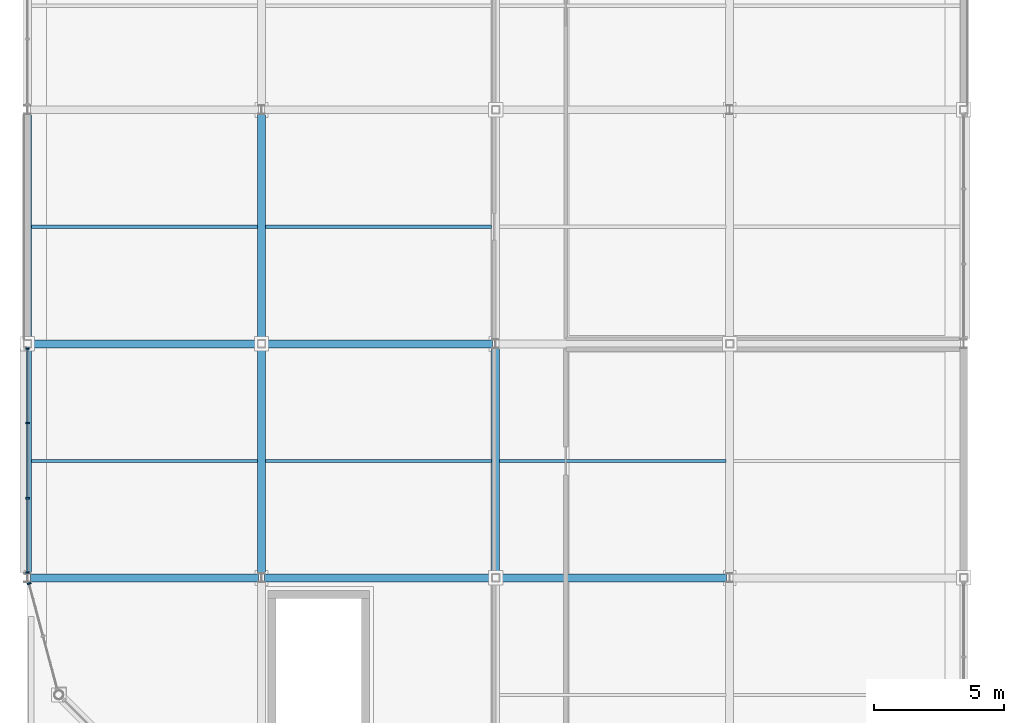
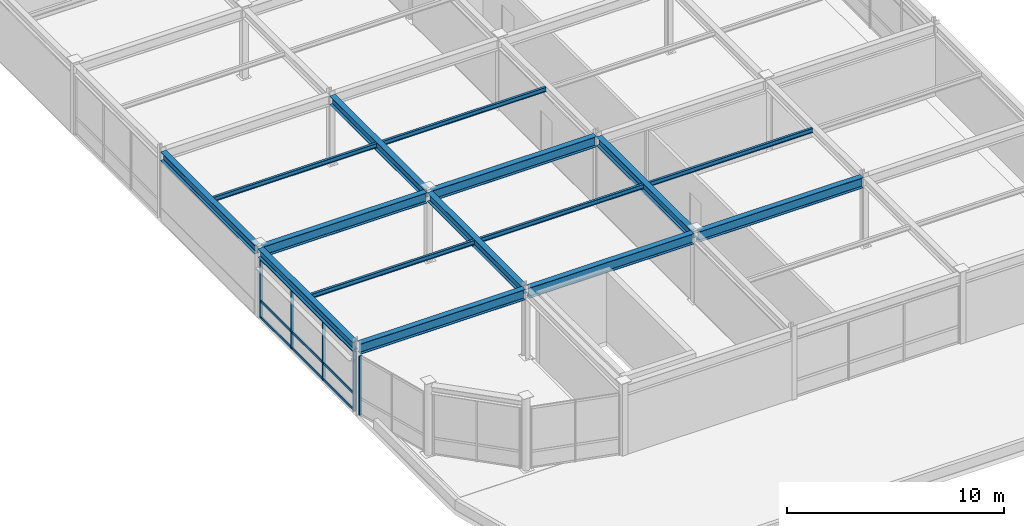
# One storey, part 25 of 108: 15 beams, 14 members, 2 elements without a shape of their own.
"""IFC4 building model written with IfcOpenShell, lengths in metres."""

from ifc_helpers import new_model, si_unit, direction, frame, origin, origin_2d, place, context, subcontext, project, spatial, rectangle, i_section, extrude, material, material_profile, profile_set, type_object, element, aggregate, save


model = new_model("IFC4")

# Units and contexts
model_context = context("Model", 3, precision=1e-05, world=origin(), true_north=direction((0.0, 1.0)))
body_context = subcontext(model_context, "Body", "Model", "MODEL_VIEW")
ifc_project = project(units=[si_unit("LENGTHUNIT", "METRE"), si_unit("AREAUNIT", "SQUARE_METRE"), si_unit("VOLUMEUNIT", "CUBIC_METRE"), si_unit("PLANEANGLEUNIT", "RADIAN"), si_unit("MASSUNIT", "GRAM", prefix="KILO")], contexts=[model_context])

# Site, building, storey
site_placement = place(None, origin())
site = spatial("IfcSite", under=ifc_project, at=site_placement, CompositionType="ELEMENT")
building_placement = place(site_placement, origin())
building = spatial("IfcBuilding", under=site, at=building_placement, Name="Suzunagisa Mobility Hub", CompositionType="ELEMENT")
storey_placement = place(building_placement, frame((0.0, 0.0, 9.300048828125)))
storey = spatial("IfcBuildingStorey", under=building, at=storey_placement, Name="L02", CompositionType="ELEMENT", Elevation=9.300048828125)

# Curtain wall, members
ifc_material_1 = material(Name="Thermally Broken Anodized Aluminum and Low-E Glazing", Category="aluminium")
curtain_wall_type_1 = type_object("IfcCurtainWallType", Name="Unitised Curtain Wall CW-12 8750x3300", PredefinedType="USERDEFINED", material=ifc_material_1)
curtain_wall_1_placement = place(storey_placement, origin())
curtain_wall_1 = element("IfcCurtainWall", 1, at=curtain_wall_1_placement, inside=storey, type_object=curtain_wall_type_1, Name="L02 Unitised Curtain Wall CW-33", ObjectType="UNITISED CURTAIN WALL", PredefinedType="USERDEFINED")
ifc_material_2 = material(Name="Anodized Aluminum 6063-T6", Category="aluminium")
ifc_material_profile_1 = material_profile(ifc_material_2, rectangle(XDim=0.06494140625, YDim=0.139892578125, at=origin_2d()), Name="TRAN-65x140")
ifc_profile_set_1 = profile_set([ifc_material_profile_1], Name="Anodized Aluminum 6063-T6")
member_type_1 = type_object("IfcMemberType", Name="Curtain Wall Framing CM-01 TRAN-65x140", PredefinedType="USERDEFINED", material=ifc_profile_set_1)
member_1_placement = place(storey_placement, frame((0.0, 26.7919921875, 0.032470703125), z_axis=(0.0, -1.0, 0.0), x_axis=(1.0, 0.0, 0.0)))
member_1 = element("IfcMember", 2, at=member_1_placement, type_object=member_type_1, Name="Curtain Wall Transom 33-T1.1", ObjectType="TRANSOM", PredefinedType="USERDEFINED", context=body_context, shape_type="SweptSolid", body=[
    extrude(rectangle(XDim=0.06494140625, YDim=0.139892578125, at=origin_2d()), origin(), (0.0, 0.0, 1.0), 2.807373046875),
])
member_2_placement = place(storey_placement, frame((0.0, 26.7919921875, 0.949951171875), z_axis=(0.0, -1.0, 0.0), x_axis=(1.0, 0.0, 0.0)))
member_2 = element("IfcMember", 3, at=member_2_placement, type_object=member_type_1, Name="Curtain Wall Transom 33-T1.2", ObjectType="TRANSOM", PredefinedType="USERDEFINED", context=body_context, shape_type="SweptSolid", body=[
    extrude(rectangle(XDim=0.06494140625, YDim=0.139892578125, at=origin_2d()), origin(), (0.0, 0.0, 1.0), 2.807373046875),
])
member_3_placement = place(storey_placement, frame((0.0, 26.7919921875, 3.299560546875), z_axis=(0.0, -1.0, 0.0), x_axis=(1.0, 0.0, 0.0)))
member_3 = element("IfcMember", 4, at=member_3_placement, type_object=member_type_1, Name="Curtain Wall Transom 33-T1.3", ObjectType="TRANSOM", PredefinedType="USERDEFINED", context=body_context, shape_type="SweptSolid", body=[
    extrude(rectangle(XDim=0.06494140625, YDim=0.139892578125, at=origin_2d()), origin(), (0.0, 0.0, 1.0), 2.807373046875),
])
member_4_placement = place(storey_placement, frame((0.0, 23.9287109375, 0.032470703125), z_axis=(0.0, -1.0, 0.0), x_axis=(1.0, 0.0, 0.0)))
member_4 = element("IfcMember", 5, at=member_4_placement, type_object=member_type_1, Name="Curtain Wall Transom 33-T2.1", ObjectType="TRANSOM", PredefinedType="USERDEFINED", context=body_context, shape_type="SweptSolid", body=[
    extrude(rectangle(XDim=0.06494140625, YDim=0.139892578125, at=origin_2d()), origin(), (0.0, 0.0, 1.0), 2.83740234375),
])
member_5_placement = place(storey_placement, frame((0.0, 23.9287109375, 0.949951171875), z_axis=(0.0, -1.0, 0.0), x_axis=(1.0, 0.0, 0.0)))
member_5 = element("IfcMember", 6, at=member_5_placement, type_object=member_type_1, Name="Curtain Wall Transom 33-T2.2", ObjectType="TRANSOM", PredefinedType="USERDEFINED", context=body_context, shape_type="SweptSolid", body=[
    extrude(rectangle(XDim=0.06494140625, YDim=0.139892578125, at=origin_2d()), origin(), (0.0, 0.0, 1.0), 2.83740234375),
])
member_6_placement = place(storey_placement, frame((0.0, 23.9287109375, 3.299560546875), z_axis=(0.0, -1.0, 0.0), x_axis=(1.0, 0.0, 0.0)))
member_6 = element("IfcMember", 7, at=member_6_placement, type_object=member_type_1, Name="Curtain Wall Transom 33-T2.3", ObjectType="TRANSOM", PredefinedType="USERDEFINED", context=body_context, shape_type="SweptSolid", body=[
    extrude(rectangle(XDim=0.06494140625, YDim=0.139892578125, at=origin_2d()), origin(), (0.0, 0.0, 1.0), 2.83740234375),
])
member_7_placement = place(storey_placement, frame((0.0, 21.035400390625, 0.032470703125), z_axis=(0.0, -1.0, 0.0), x_axis=(1.0, 0.0, 0.0)))
member_7 = element("IfcMember", 8, at=member_7_placement, type_object=member_type_1, Name="Curtain Wall Transom 33-T3.1", ObjectType="TRANSOM", PredefinedType="USERDEFINED", context=body_context, shape_type="SweptSolid", body=[
    extrude(rectangle(XDim=0.06494140625, YDim=0.139892578125, at=origin_2d()), origin(), (0.0, 0.0, 1.0), 2.807373046875),
])
member_8_placement = place(storey_placement, frame((0.0, 21.035400390625, 0.949951171875), z_axis=(0.0, -1.0, 0.0), x_axis=(1.0, 0.0, 0.0)))
member_8 = element("IfcMember", 9, at=member_8_placement, type_object=member_type_1, Name="Curtain Wall Transom 33-T3.2", ObjectType="TRANSOM", PredefinedType="USERDEFINED", context=body_context, shape_type="SweptSolid", body=[
    extrude(rectangle(XDim=0.06494140625, YDim=0.139892578125, at=origin_2d()), origin(), (0.0, 0.0, 1.0), 2.807373046875),
])
member_9_placement = place(storey_placement, frame((0.0, 21.035400390625, 3.299560546875), z_axis=(0.0, -1.0, 0.0), x_axis=(1.0, 0.0, 0.0)))
member_9 = element("IfcMember", 10, at=member_9_placement, type_object=member_type_1, Name="Curtain Wall Transom 33-T3.3", ObjectType="TRANSOM", PredefinedType="USERDEFINED", context=body_context, shape_type="SweptSolid", body=[
    extrude(rectangle(XDim=0.06494140625, YDim=0.139892578125, at=origin_2d()), origin(), (0.0, 0.0, 1.0), 2.807373046875),
])

# Curtain wall, member
curtain_wall_type_2 = type_object("IfcCurtainWallType", Name="Unitised Curtain Wall CW-06 4250x3300", PredefinedType="USERDEFINED", material=ifc_material_1)
curtain_wall_2_placement = place(storey_placement, origin())
curtain_wall_2 = element("IfcCurtainWall", 11, at=curtain_wall_2_placement, inside=storey, type_object=curtain_wall_type_2, Name="L02 Unitised Curtain Wall CW-22", ObjectType="UNITISED CURTAIN WALL", PredefinedType="USERDEFINED")
ifc_material_profile_2 = material_profile(ifc_material_2, rectangle(XDim=0.06005859375, YDim=0.14990234375, at=origin_2d()), Name="MULL-60x150")
ifc_profile_set_2 = profile_set([ifc_material_profile_2], Name="Anodized Aluminum 6063-T6")
member_type_2 = type_object("IfcMemberType", Name="Curtain Wall Framing CM-03 MULL-60x150", PredefinedType="MULLION", material=ifc_profile_set_2)
member_10_placement = place(storey_placement, frame((0.05859375, 17.781005859375, 0.0), z_axis=(0.0, 0.0, 1.0), x_axis=(0.258810670101, -0.965928070325, 0.0)))
member_10 = element("IfcMember", 12, at=member_10_placement, type_object=member_type_2, Name="Curtain Wall Mullion 22-M1", PredefinedType="MULLION", context=body_context, shape_type="SweptSolid", body=[
    extrude(rectangle(XDim=0.06005859375, YDim=0.14990234375, at=origin_2d()), origin(), (0.0, 0.0, 1.0), 3.33203125),
])
aggregate(curtain_wall_2, [member_10])

# Member
member_11_placement = place(storey_placement, frame((0.0, 26.820068359375, 0.0), z_axis=(0.0, 0.0, 1.0), x_axis=(0.0, -1.0, 0.0)))
member_11 = element("IfcMember", 13, at=member_11_placement, type_object=member_type_2, Name="Curtain Wall Mullion 33-M1", PredefinedType="MULLION", context=body_context, shape_type="SweptSolid", body=[
    extrude(rectangle(XDim=0.06005859375, YDim=0.14990234375, at=origin_2d()), origin(), (0.0, 0.0, 1.0), 3.33203125),
])

member_12_placement = place(storey_placement, frame((0.0, 23.956787109375, 0.0), z_axis=(0.0, 0.0, 1.0), x_axis=(0.0, -1.0, 0.0)))
member_12 = element("IfcMember", 14, at=member_12_placement, type_object=member_type_2, Name="Curtain Wall Mullion 33-M2", PredefinedType="MULLION", context=body_context, shape_type="SweptSolid", body=[
    extrude(rectangle(XDim=0.06005859375, YDim=0.14990234375, at=origin_2d()), origin(), (0.0, 0.0, 1.0), 3.33203125),
])

member_13_placement = place(storey_placement, frame((0.0, 21.063232421875, 0.0), z_axis=(0.0, 0.0, 1.0), x_axis=(0.0, -1.0, 0.0)))
member_13 = element("IfcMember", 15, at=member_13_placement, type_object=member_type_2, Name="Curtain Wall Mullion 33-M3", PredefinedType="MULLION", context=body_context, shape_type="SweptSolid", body=[
    extrude(rectangle(XDim=0.06005859375, YDim=0.14990234375, at=origin_2d()), origin(), (0.0, 0.0, 1.0), 3.33203125),
])

member_14_placement = place(storey_placement, frame((0.0, 18.199951171875, 0.0), z_axis=(0.0, 0.0, 1.0), x_axis=(0.0, -1.0, 0.0)))
member_14 = element("IfcMember", 16, at=member_14_placement, type_object=member_type_2, Name="Curtain Wall Mullion 33-M4", PredefinedType="MULLION", context=body_context, shape_type="SweptSolid", body=[
    extrude(rectangle(XDim=0.06005859375, YDim=0.14990234375, at=origin_2d()), origin(), (0.0, 0.0, 1.0), 3.33203125),
])

aggregate(curtain_wall_1, [member_11, member_12, member_13, member_14, member_1, member_2, member_3, member_4, member_5, member_6, member_7, member_8, member_9])

# Beams
ifc_material_3 = material(Name="Steel SN490B", Category="steel")
ifc_material_profile_3 = material_profile(ifc_material_3, i_section(OverallWidth=0.300048828125, OverallDepth=0.488037109375, WebThickness=0.010986328125, FlangeThickness=0.01806640625, FilletRadius=0.012939453125, at=origin_2d()), Name="H-488x300x11x18")
ifc_profile_set_3 = profile_set([ifc_material_profile_3], Name="Steel SN490B")
beam_type_1 = type_object("IfcBeamType", Name="Steel Beam BM-06 H-488x300x11x18", PredefinedType="BEAM", material=ifc_profile_set_3)
for number, where, z_axis, x_axis, name in (
    (17, (0.0, 18.166015625, 3.676025390625), (0.0, 1.0, 0.0), (-1.0, 0.0, 0.0), "L02 Primary Girder GY-298"),
    (18, (0.0, 27.14599609375, 3.676025390625), (0.0, 1.0, 0.0), (-1.0, 0.0, 0.0), "L02 Primary Girder GY-299"),
    (19, (9.0, 18.166015625, 3.676025390625), (0.0, 1.0, 0.0), (-1.0, 0.0, 0.0), "L02 Primary Girder GY-304"),
    (20, (9.0, 27.14599609375, 3.676025390625), (0.0, 1.0, 0.0), (-1.0, 0.0, 0.0), "L02 Primary Girder GY-305"),
    (21, (18.0, 18.14599609375, 3.676025390625), (0.0, 1.0, 0.0), (-1.0, 0.0, 0.0), "L02 Primary Girder GY-310"),
):
    element("IfcBeam", number, at=place(storey_placement, frame(where, z_axis=z_axis, x_axis=x_axis)), inside=storey, type_object=beam_type_1, Name=name, PredefinedType="BEAM", context=body_context, shape_type="SweptSolid", body=[
        extrude(i_section(OverallWidth=0.300048828125, OverallDepth=0.488037109375, WebThickness=0.010986328125, FlangeThickness=0.01806640625, FilletRadius=0.012939453125, at=origin_2d()), origin(), (0.0, 0.0, 1.0), 8.68798828125),
    ])
ifc_material_profile_4 = material_profile(ifc_material_3, i_section(OverallWidth=0.300048828125, OverallDepth=0.587890625, WebThickness=0.011962890625, FlangeThickness=0.02001953125, FilletRadius=0.012939453125, at=origin_2d()), Name="H-588x300x12x20")
ifc_profile_set_4 = profile_set([ifc_material_profile_4], Name="Steel SN490B")
beam_type_2 = type_object("IfcBeamType", Name="Steel Beam BM-16 H-588x300x12x20", PredefinedType="BEAM", material=ifc_profile_set_4)
beam_1_placement = place(storey_placement, frame((0.12109375, 18.0, 3.6259765625), z_axis=(1.0, 0.0, 0.0), x_axis=(0.0, 1.0, 0.0)))
element("IfcBeam", 22, at=beam_1_placement, inside=storey, type_object=beam_type_2, Name="L02 Primary Girder GX-274", PredefinedType="BEAM", context=body_context, shape_type="SweptSolid", body=[
    extrude(i_section(OverallWidth=0.300048828125, OverallDepth=0.587890625, WebThickness=0.011962890625, FlangeThickness=0.02001953125, FilletRadius=0.012939453125, at=origin_2d()), origin(), (0.0, 0.0, 1.0), 8.7578125),
])
for number, where, z_axis, x_axis, name in (
    (23, (9.12109375, 18.0, 3.6259765625), (1.0, 0.0, 0.0), (0.0, 1.0, 0.0), "L02 Primary Girder GX-275"),
    (24, (18.14599609375, 18.0, 3.6259765625), (1.0, 0.0, 0.0), (0.0, 1.0, 0.0), "L02 Primary Girder GX-276"),
):
    element("IfcBeam", number, at=place(storey_placement, frame(where, z_axis=z_axis, x_axis=x_axis)), inside=storey, type_object=beam_type_2, Name=name, PredefinedType="BEAM", context=body_context, shape_type="SweptSolid", body=[
        extrude(i_section(OverallWidth=0.300048828125, OverallDepth=0.587890625, WebThickness=0.011962890625, FlangeThickness=0.02001953125, FilletRadius=0.012939453125, at=origin_2d()), origin(), (0.0, 0.0, 1.0), 8.73291015625),
    ])
beam_2_placement = place(storey_placement, frame((0.14599609375, 27.0, 3.6259765625), z_axis=(1.0, 0.0, 0.0), x_axis=(0.0, 1.0, 0.0)))
element("IfcBeam", 25, at=beam_2_placement, inside=storey, type_object=beam_type_2, Name="L02 Primary Girder GX-278", PredefinedType="BEAM", context=body_context, shape_type="SweptSolid", body=[
    extrude(i_section(OverallWidth=0.300048828125, OverallDepth=0.587890625, WebThickness=0.011962890625, FlangeThickness=0.02001953125, FilletRadius=0.012939453125, at=origin_2d()), origin(), (0.0, 0.0, 1.0), 8.7080078125),
])
beam_3_placement = place(storey_placement, frame((9.14599609375, 27.0, 3.6259765625), z_axis=(1.0, 0.0, 0.0), x_axis=(0.0, 1.0, 0.0)))
element("IfcBeam", 26, at=beam_3_placement, inside=storey, type_object=beam_type_2, Name="L02 Primary Girder GX-279", PredefinedType="BEAM", context=body_context, shape_type="SweptSolid", body=[
    extrude(i_section(OverallWidth=0.300048828125, OverallDepth=0.587890625, WebThickness=0.011962890625, FlangeThickness=0.02001953125, FilletRadius=0.012939453125, at=origin_2d()), origin(), (0.0, 0.0, 1.0), 8.73291015625),
])
ifc_material_4 = material(Name="Steel SN400B", Category="steel")
ifc_material_profile_5 = material_profile(ifc_material_4, i_section(OverallWidth=0.125, OverallDepth=0.25, WebThickness=0.006103515625, FlangeThickness=0.009033203125, FilletRadius=0.008056640625, at=origin_2d()), Name="H-250x125x6x9")
ifc_profile_set_5 = profile_set([ifc_material_profile_5], Name="Steel SN400B")
beam_type_3 = type_object("IfcBeamType", Name="Steel Beam BM-21 H-250x125x6x9", PredefinedType="JOIST", material=ifc_profile_set_5)
for number, where, z_axis, x_axis, name in (
    (27, (0.14990234375, 22.5, 3.794921875), (1.0, 0.0, 0.0), (0.0, 1.0, 0.0), "L02 Composite Floor Joist J-328"),
    (28, (0.14990234375, 31.5, 3.794921875), (1.0, 0.0, 0.0), (0.0, 1.0, 0.0), "L02 Composite Floor Joist J-329"),
    (29, (9.14990234375, 22.5, 3.794921875), (1.0, 0.0, 0.0), (0.0, 1.0, 0.0), "L02 Composite Floor Joist J-333"),
    (30, (9.14990234375, 31.5, 3.794921875), (1.0, 0.0, 0.0), (0.0, 1.0, 0.0), "L02 Composite Floor Joist J-334"),
    (31, (18.14990234375, 22.5, 3.794921875), (1.0, 0.0, 0.0), (0.0, 1.0, 0.0), "L02 Composite Floor Joist J-338"),
):
    element("IfcBeam", number, at=place(storey_placement, frame(where, z_axis=z_axis, x_axis=x_axis)), inside=storey, type_object=beam_type_3, Name=name, PredefinedType="JOIST", context=body_context, shape_type="SweptSolid", body=[
        extrude(i_section(OverallWidth=0.125, OverallDepth=0.25, WebThickness=0.006103515625, FlangeThickness=0.009033203125, FilletRadius=0.008056640625, at=origin_2d()), origin(), (0.0, 0.0, 1.0), 8.7001953125),
    ])

save(model, "model.ifc")
